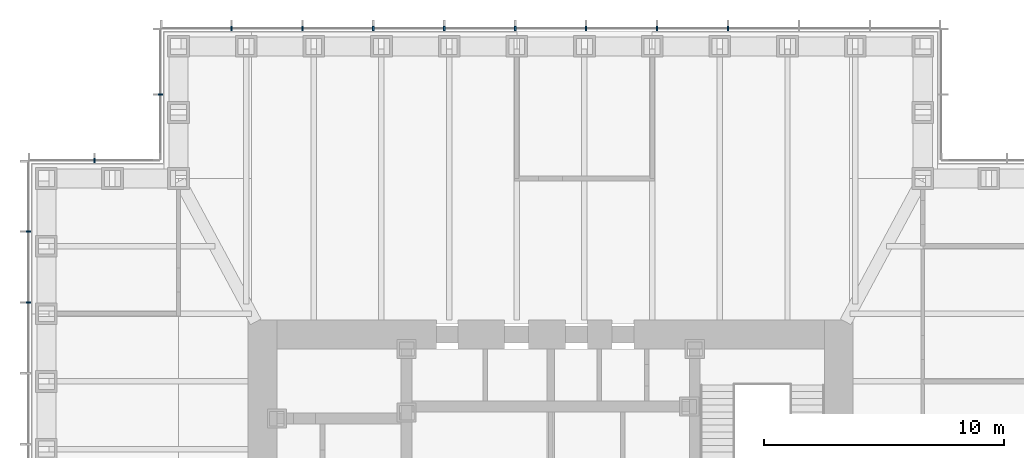
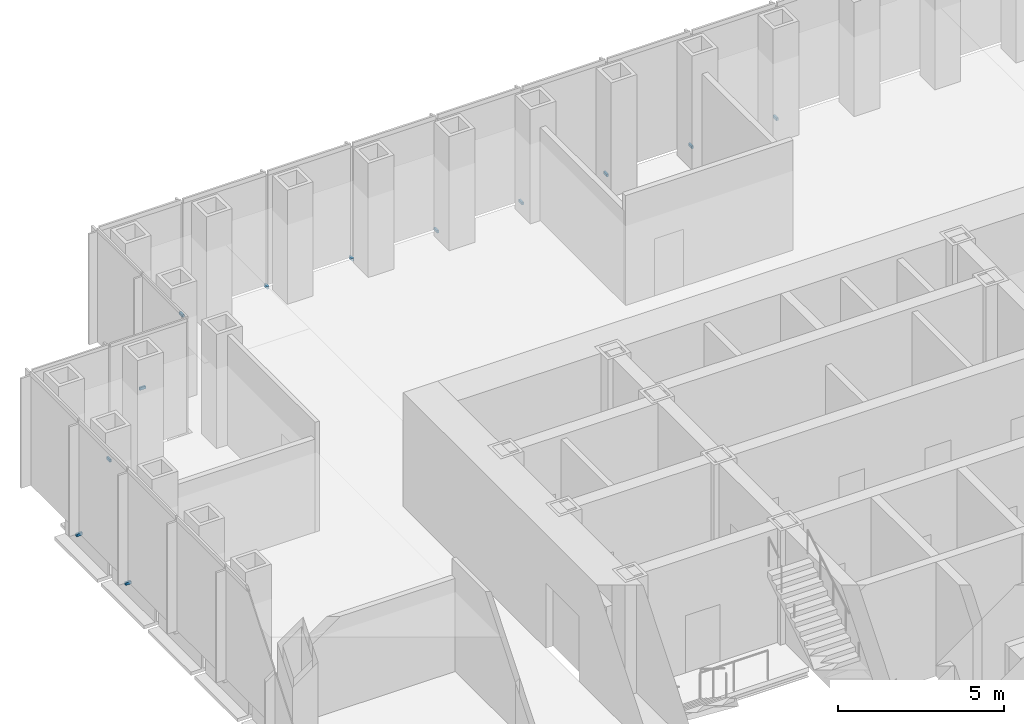
# One storey, part 14 of 16: 12 discrete accessories.
"""IFC4 building model written with IfcOpenShell, lengths in metres."""

from ifc_helpers import new_model, si_unit, direction, frame, origin, origin_2d, place, context, subcontext, project, spatial, rectangle, extrude, element, save


model = new_model("IFC4")

# Units and contexts
model_context = context("Model", 3, precision=1e-05, world=origin(), true_north=direction((0.0, 1.0)))
body_context = subcontext(model_context, "Body", "Model", "MODEL_VIEW")
ifc_project = project(units=[si_unit("LENGTHUNIT", "METRE"), si_unit("AREAUNIT", "SQUARE_METRE"), si_unit("VOLUMEUNIT", "CUBIC_METRE"), si_unit("PLANEANGLEUNIT", "RADIAN"), si_unit("MASSUNIT", "GRAM", prefix="KILO")], contexts=[model_context])

# Site, building, storey
site_placement = place(None, origin())
site = spatial("IfcSite", under=ifc_project, at=site_placement, CompositionType="ELEMENT")
building_placement = place(site_placement, origin())
building = spatial("IfcBuilding", under=site, at=building_placement, Name="Daluyong Arena Tower", CompositionType="ELEMENT")
storey_placement = place(building_placement, frame((0.0, 0.0, 202.300048828125)))
storey = spatial("IfcBuildingStorey", under=building, at=storey_placement, Name="L45", CompositionType="ELEMENT", Elevation=202.300048828125)

# Discrete accessories
for number, where, z_axis, x_axis, name in (
    (1, (63.386474609375, 101.75, -0.10009765625), (0.0, 0.0, 1.0), (-1.0, 0.0, 0.0), "curtain wall L45 N anchor bracket 4"),
    (2, (60.431884765625, 101.75, -0.10009765625), (0.0, 0.0, 1.0), (-1.0, 0.0, 0.0), "curtain wall L45 N anchor bracket 5"),
    (3, (57.477294921875, 101.75, -0.10009765625), (0.0, 0.0, 1.0), (-1.0, 0.0, 0.0), "curtain wall L45 N anchor bracket 6"),
    (4, (54.522705078125, 101.75, -0.10009765625), (0.0, 0.0, 1.0), (-1.0, 0.0, 0.0), "curtain wall L45 N anchor bracket 7"),
    (5, (51.568115234375, 101.75, -0.10009765625), (0.0, 0.0, 1.0), (-1.0, 0.0, 0.0), "curtain wall L45 N anchor bracket 8"),
    (6, (48.613525390625, 101.75, -0.10009765625), (0.0, 0.0, 1.0), (-1.0, 0.0, 0.0), "curtain wall L45 N anchor bracket 9"),
    (7, (45.6591796875, 101.75, -0.10009765625), (0.0, 0.0, 1.0), (-1.0, 0.0, 0.0), "curtain wall L45 N anchor bracket 10"),
    (8, (42.70458984375, 101.75, -0.10009765625), (0.0, 0.0, 1.0), (-1.0, 0.0, 0.0), "curtain wall L45 N anchor bracket 11"),
):
    element("IfcDiscreteAccessory", number, at=place(storey_placement, frame(where, z_axis=z_axis, x_axis=x_axis)), inside=storey, Name=name, PredefinedType="BRACKET", context=body_context, shape_type="SweptSolid", body=[
        extrude(rectangle(XDim=0.070068359375, YDim=0.199951171875, at=origin_2d()), origin(), (0.0, 0.0, 1.0), 0.10009765625),
    ])
for number, where, z_axis, x_axis, name in (
    (9, (39.75, 99.0, -0.10009765625), (0.0, 0.0, 1.0), (0.0, -1.0, 0.0), "curtain wall L45 NW-W anchor bracket 2"),
    (10, (37.0, 96.25, -0.10009765625), (0.0, 0.0, 1.0), (-1.0, 0.0, 0.0), "curtain wall L45 NW-N anchor bracket 2"),
):
    element("IfcDiscreteAccessory", number, at=place(storey_placement, frame(where, z_axis=z_axis, x_axis=x_axis)), inside=storey, Name=name, PredefinedType="BRACKET", context=body_context, shape_type="SweptSolid", body=[
        extrude(rectangle(XDim=0.06005859375, YDim=0.199951171875, at=origin_2d()), origin(), (0.0, 0.0, 1.0), 0.10009765625),
    ])
for number, where, z_axis, x_axis, name in (
    (11, (34.25, 93.29541015625, -0.10009765625), (0.0, 0.0, 1.0), (0.0, -1.0, 0.0), "curtain wall L45 W anchor bracket 2"),
    (12, (34.25, 90.3408203125, -0.10009765625), (0.0, 0.0, 1.0), (0.0, -1.0, 0.0), "curtain wall L45 W anchor bracket 3"),
):
    element("IfcDiscreteAccessory", number, at=place(storey_placement, frame(where, z_axis=z_axis, x_axis=x_axis)), inside=storey, Name=name, PredefinedType="BRACKET", context=body_context, shape_type="SweptSolid", body=[
        extrude(rectangle(XDim=0.070068359375, YDim=0.199951171875, at=origin_2d()), origin(), (0.0, 0.0, 1.0), 0.10009765625),
    ])

save(model, "model.ifc")
